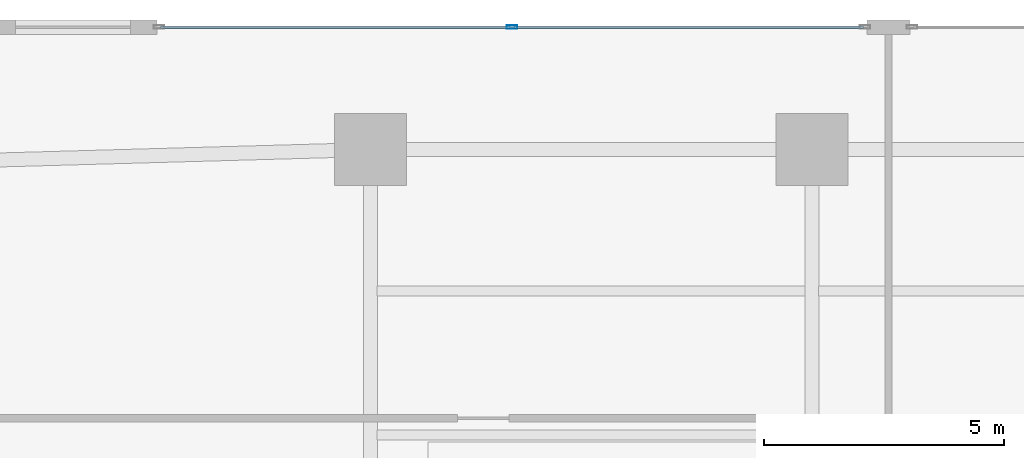
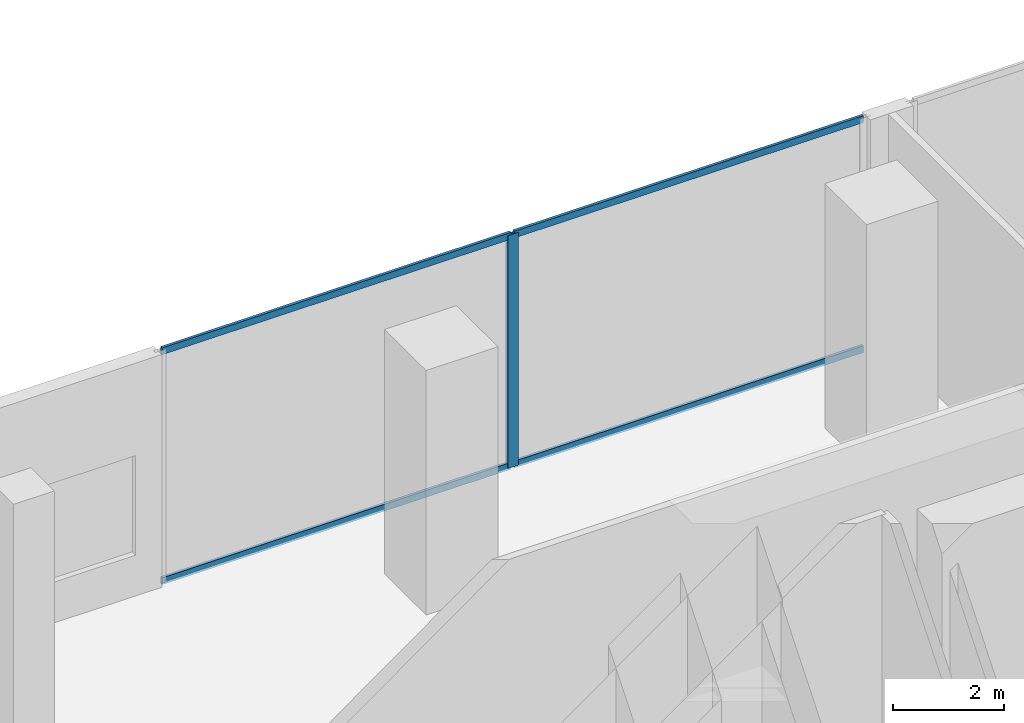
# One storey, part 15 of 30: 5 members, 1 element without a shape of its own.
"""IFC4 building model written with IfcOpenShell, lengths in metres."""

from ifc_helpers import new_model, si_unit, direction, frame, origin, origin_2d, place, context, subcontext, project, spatial, hollow_rectangle, extrude, material, layer, layer_set, material_profile, profile_set, type_object, element, aggregate, save


model = new_model("IFC4")

# Units and contexts
model_context = context("Model", 3, precision=1e-05, world=origin(), true_north=direction((0.0, 1.0)))
body_context = subcontext(model_context, "Body", "Model", "MODEL_VIEW")
ifc_project = project(units=[si_unit("LENGTHUNIT", "METRE"), si_unit("AREAUNIT", "SQUARE_METRE"), si_unit("VOLUMEUNIT", "CUBIC_METRE"), si_unit("PLANEANGLEUNIT", "RADIAN"), si_unit("MASSUNIT", "GRAM", prefix="KILO")], contexts=[model_context])

# Site, building, storey
site_placement = place(None, origin())
site = spatial("IfcSite", under=ifc_project, at=site_placement, CompositionType="ELEMENT")
building_placement = place(site_placement, origin())
building = spatial("IfcBuilding", under=site, at=building_placement, Name="Zuhayl Quay Hotel", CompositionType="ELEMENT")
storey_placement = place(building_placement, frame((0.0, 0.0, 6.0)))
storey = spatial("IfcBuildingStorey", under=building, at=storey_placement, Name="L01", CompositionType="ELEMENT", Elevation=6.0)

# Curtain wall, members
ifc_material_1 = material(Name="Anodised Aluminium 6063-T6", Category="aluminium")
ifc_layer = layer(ifc_material_1, 0.199951171875, Name="Anodised Aluminium 6063-T6", Category="aluminium")
ifc_layer_set = layer_set([ifc_layer], Name="Anodised Aluminium 6063-T6")
curtain_wall_type = type_object("IfcCurtainWallType", Name="CW_SYS_POD", PredefinedType="USERDEFINED", material=ifc_layer_set)
curtain_wall_placement = place(storey_placement, origin())
curtain_wall = element("IfcCurtainWall", 1, at=curtain_wall_placement, inside=storey, type_object=curtain_wall_type, Name="L01 Curtain Wall ENV_L01_E05_CW3", ObjectType="UNITISED CURTAIN WALL", PredefinedType="USERDEFINED")
ifc_material_2 = material(Name="Black-anodised aluminium 6063-T6", Category="aluminium")
ifc_material_profile_1 = material_profile(ifc_material_2, hollow_rectangle(XDim=0.074951171875, YDim=0.219970703125, WallThickness=0.00390625, at=origin_2d()), Name="ALU220X75")
ifc_profile_set_1 = profile_set([ifc_material_profile_1], Name="Black-anodised aluminium 6063-T6")
member_type_1 = type_object("IfcMemberType", Name="MB_CW_MUL_220", PredefinedType="MULLION", material=ifc_profile_set_1)
member_1_placement = place(storey_placement, frame((-10.85009765625, 25.0, 0.0), z_axis=(0.0, 0.0, 1.0), x_axis=(0.0, 1.0, 0.0)))
member_1 = element("IfcMember", 2, at=member_1_placement, type_object=member_type_1, Name="CW-POD mullion 2", PredefinedType="MULLION", context=body_context, shape_type="SweptSolid", body=[
    extrude(hollow_rectangle(XDim=0.074951171875, YDim=0.219970703125, WallThickness=0.00390625, at=origin_2d()), origin(), (0.0, 0.0, 1.0), 5.139892578125),
])
ifc_material_profile_2 = material_profile(ifc_material_2, hollow_rectangle(XDim=0.06005859375, YDim=0.14990234375, WallThickness=0.00341796875, at=origin_2d()), Name="ALU150X60")
ifc_profile_set_2 = profile_set([ifc_material_profile_2], Name="Black-anodised aluminium 6063-T6")
member_type_2 = type_object("IfcMemberType", Name="MB_CW_TRN_150", PredefinedType="USERDEFINED", material=ifc_profile_set_2)
member_2_placement = place(storey_placement, frame((-18.175048828125, 25.0, 0.030029296875), z_axis=(1.0, 0.0, 0.0), x_axis=(0.0, 1.0, 0.0)))
member_2 = element("IfcMember", 3, at=member_2_placement, type_object=member_type_2, Name="CW-POD transom 1.1", ObjectType="TRANSOM", PredefinedType="USERDEFINED", context=body_context, shape_type="SweptSolid", body=[
    extrude(hollow_rectangle(XDim=0.06005859375, YDim=0.14990234375, WallThickness=0.00341796875, at=origin_2d()), origin(), (0.0, 0.0, 1.0), 7.28759765625),
])
member_3_placement = place(storey_placement, frame((-18.175048828125, 25.0, 5.110107421875), z_axis=(1.0, 0.0, 0.0), x_axis=(0.0, 1.0, 0.0)))
member_3 = element("IfcMember", 4, at=member_3_placement, type_object=member_type_2, Name="CW-POD transom 1.2", ObjectType="TRANSOM", PredefinedType="USERDEFINED", context=body_context, shape_type="SweptSolid", body=[
    extrude(hollow_rectangle(XDim=0.06005859375, YDim=0.14990234375, WallThickness=0.00341796875, at=origin_2d()), origin(), (0.0, 0.0, 1.0), 7.28759765625),
])
member_4_placement = place(storey_placement, frame((-10.8125, 25.0, 0.030029296875), z_axis=(1.0, 0.0, 0.0), x_axis=(0.0, 1.0, 0.0)))
member_4 = element("IfcMember", 5, at=member_4_placement, type_object=member_type_2, Name="CW-POD transom 2.1", ObjectType="TRANSOM", PredefinedType="USERDEFINED", context=body_context, shape_type="SweptSolid", body=[
    extrude(hollow_rectangle(XDim=0.06005859375, YDim=0.14990234375, WallThickness=0.00341796875, at=origin_2d()), origin(), (0.0, 0.0, 1.0), 7.28759765625),
])
member_5_placement = place(storey_placement, frame((-10.8125, 25.0, 5.110107421875), z_axis=(1.0, 0.0, 0.0), x_axis=(0.0, 1.0, 0.0)))
member_5 = element("IfcMember", 6, at=member_5_placement, type_object=member_type_2, Name="CW-POD transom 2.2", ObjectType="TRANSOM", PredefinedType="USERDEFINED", context=body_context, shape_type="SweptSolid", body=[
    extrude(hollow_rectangle(XDim=0.06005859375, YDim=0.14990234375, WallThickness=0.00341796875, at=origin_2d()), origin(), (0.0, 0.0, 1.0), 7.28759765625),
])
aggregate(curtain_wall, [member_1, member_2, member_3, member_4, member_5])

save(model, "model.ifc")
